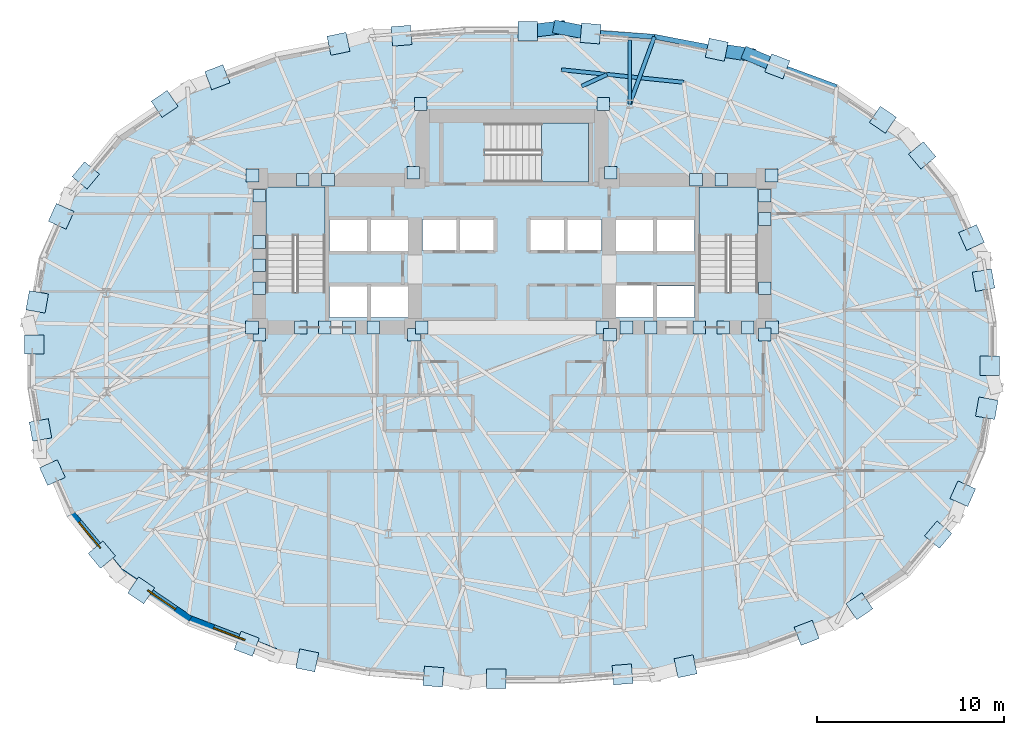
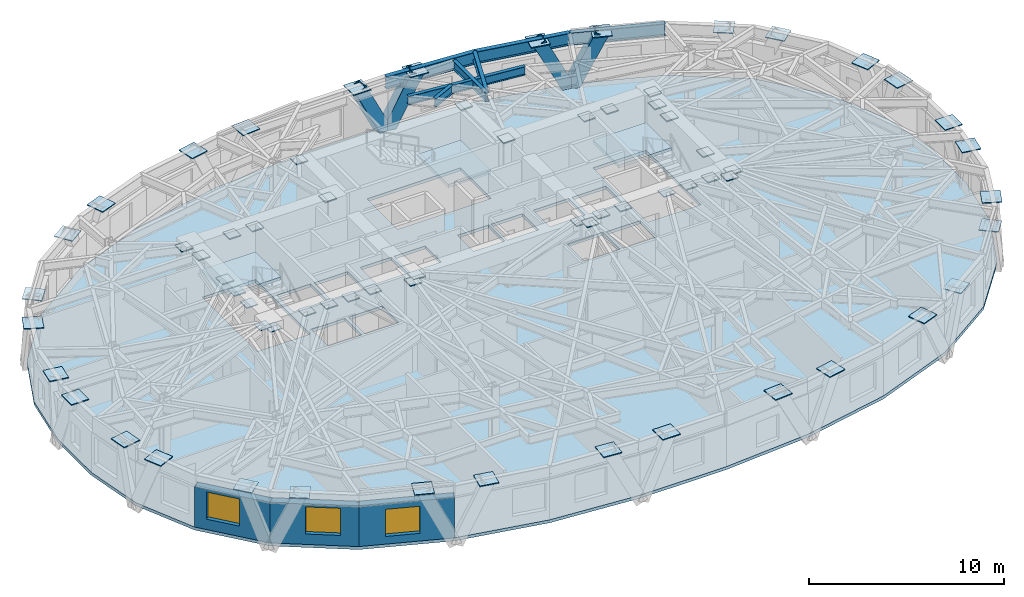
# One storey, part 5 of 14: 66 plates, 7 beams, 4 members, 4 slabs, 3 walls, 3 windows, 3 openings, 3 elements without a shape of their own.
"""IFC4 building model written with IfcOpenShell, lengths in metres."""

import ifcopenshell
import ifcopenshell.guid

model = None  # the IFC model being written
_history = None  # IfcOwnerHistory: only IFC2X3 demands one
_inside = {}  # id of a spatial element -> (the spatial element, [elements in it])
_under = {}  # id of a project, library or spatial element -> (it, [spatial elements below it])
_declared = {}  # id of a project -> (the project, [libraries it declares])
_typed = {}  # id of a type object -> (the type object, [elements of that type])
_made_of = {}  # id of a material, layer set ... -> (it, [elements and type objects made of it])


def new_model(schema):
    """Start an empty IFC model of exactly this schema.

    Asked for "IFC4X3", IfcOpenShell would pick the latest addendum, in which some entities
    have other attributes; the version numbers below select the first issue.
    IFC2X3 requires an IfcOwnerHistory on every rooted entity: one is made here for all.
    """
    global model, _history
    if schema == "IFC4X3":
        model = ifcopenshell.file(schema_version=(4, 3, 0, 0))
    else:
        model = ifcopenshell.file(schema=schema)
    _inside.clear()
    _under.clear()
    _declared.clear()
    _typed.clear()
    _made_of.clear()
    _history = None
    if model.schema == "IFC2X3":
        org = make("IfcOrganization", Name="unknown")
        user = make(
            "IfcPersonAndOrganization",
            ThePerson=make("IfcPerson", FamilyName="unknown"),
            TheOrganization=org,
        )
        app = make(
            "IfcApplication",
            ApplicationDeveloper=org,
            Version="unknown",
            ApplicationFullName="unknown",
            ApplicationIdentifier="unknown",
        )
        _history = make(
            "IfcOwnerHistory",
            OwningUser=user,
            OwningApplication=app,
            ChangeAction="ADDED",
            CreationDate=0,
        )
    return model


def make(cls, **values):
    """One entity of the class cls with the attributes given. An attribute that is None is left unset."""
    return model.create_entity(
        cls, **{name: value for name, value in values.items() if value is not None}
    )


def rooted(cls, **values):
    """An entity with a GlobalId (a new one), such as an element, a storey or a relation."""
    return make(cls, GlobalId=ifcopenshell.guid.new(), OwnerHistory=_history, **values)


def si_unit(unit_type, name, prefix=None):
    """IfcSIUnit, for example si_unit("LENGTHUNIT", "METRE", prefix="MILLI")."""
    return make("IfcSIUnit", UnitType=unit_type, Prefix=prefix, Name=name)


def assignment(units):
    """IfcUnitAssignment: the units of a project."""
    return None if units is None else make("IfcUnitAssignment", Units=units)


def point(xyz):
    """IfcCartesianPoint."""
    return None if xyz is None else make("IfcCartesianPoint", Coordinates=xyz)


def direction(xyz):
    """IfcDirection."""
    return None if xyz is None else make("IfcDirection", DirectionRatios=xyz)


def frame(location, z_axis=None, x_axis=None):
    """IfcAxis2Placement3D, a coordinate frame: its origin and axes. An axis left out is left unset."""
    return make(
        "IfcAxis2Placement3D",
        Location=point(location),
        Axis=direction(z_axis),
        RefDirection=direction(x_axis),
    )


def frame_2d(location, x_axis=None):
    """IfcAxis2Placement2D, a coordinate frame in the plane: its origin and x axis."""
    return make(
        "IfcAxis2Placement2D", Location=point(location), RefDirection=direction(x_axis)
    )


def origin():
    """The frame at (0, 0, 0) with its axes left unset."""
    return frame((0.0, 0.0, 0.0))


def origin_2d():
    """The frame at (0, 0) in the plane with its x axis left unset."""
    return frame_2d((0.0, 0.0))


def place(relative_to, where):
    """IfcLocalPlacement: puts the frame where relative to a parent placement (None: the world)."""
    return make(
        "IfcLocalPlacement", PlacementRelTo=relative_to, RelativePlacement=where
    )


def context(
    kind, dimensions, precision=None, world=None, true_north=None, identifier=None
):
    """IfcGeometricRepresentationContext, for example the 3D "Model" context."""
    return make(
        "IfcGeometricRepresentationContext",
        ContextIdentifier=identifier,
        ContextType=kind,
        CoordinateSpaceDimension=dimensions,
        Precision=precision,
        WorldCoordinateSystem=world,
        TrueNorth=true_north,
    )


def subcontext(parent, identifier, kind, view, scale=None):
    """IfcGeometricRepresentationSubContext, for example "Body" below "Model"."""
    return make(
        "IfcGeometricRepresentationSubContext",
        ContextIdentifier=identifier,
        ContextType=kind,
        ParentContext=parent,
        TargetScale=scale,
        TargetView=view,
    )


def project(units=None, contexts=None):
    """IfcProject with its units and contexts."""
    return rooted(
        "IfcProject",
        Name="project",
        RepresentationContexts=contexts,
        UnitsInContext=assignment(units),
    )


def spatial(cls, under=None, at=None, **own):
    """A site, building, storey or space (cls), placed at a placement, below another one or the project."""
    s = rooted(cls, ObjectPlacement=at, **own)
    if under is not None:
        _under.setdefault(under.id(), (under, []))[1].append(s)
    return s


def polyline(points):
    """IfcPolyline through the points."""
    return make("IfcPolyline", Points=[point(p) for p in points])


def profile(cls, at=None, kind="AREA", **sizes):
    """A parametric profile (cls). Its sizes go by their IFC names, for example OverallWidth=200.0."""
    return make(cls, ProfileType=kind, Position=at, **sizes)


def rectangle(**sizes):
    """IfcRectangleProfileDef."""
    return profile("IfcRectangleProfileDef", **sizes)


def hollow_rectangle(**sizes):
    """IfcRectangleHollowProfileDef."""
    return profile("IfcRectangleHollowProfileDef", **sizes)


def i_section(**sizes):
    """IfcIShapeProfileDef."""
    return profile("IfcIShapeProfileDef", **sizes)


def outline(outer, holes=None, kind="AREA"):
    """IfcArbitraryClosedProfileDef: a profile drawn as a closed curve; with holes, ...WithVoids."""
    if holes is None:
        return make("IfcArbitraryClosedProfileDef", ProfileType=kind, OuterCurve=outer)
    return make(
        "IfcArbitraryProfileDefWithVoids",
        ProfileType=kind,
        OuterCurve=outer,
        InnerCurves=holes,
    )


def extrude(swept, where, along, depth):
    """IfcExtrudedAreaSolid: the profile swept, set in the frame where, extruded along a direction by depth."""
    return make(
        "IfcExtrudedAreaSolid",
        SweptArea=swept,
        Position=where,
        ExtrudedDirection=direction(along),
        Depth=depth,
    )


def shape(context_of_items, identifier, shape_type, items):
    """IfcShapeRepresentation: the items that make up one representation, for example the "Body"."""
    return make(
        "IfcShapeRepresentation",
        ContextOfItems=context_of_items,
        RepresentationIdentifier=identifier,
        RepresentationType=shape_type,
        Items=items,
    )


def material(Name=None, Category=None):
    """IfcMaterial."""
    return make("IfcMaterial", Name=Name, Category=Category)


def layer(
    of_material, thickness, ventilated=None, Name=None, Category=None, Priority=None
):
    """IfcMaterialLayer: one layer of a wall or slab, of a material (None: an air gap)."""
    return make(
        "IfcMaterialLayer",
        Material=of_material,
        LayerThickness=thickness,
        IsVentilated=ventilated,
        Name=Name,
        Category=Category,
        Priority=Priority,
    )


def layer_set(layers, Name=None):
    """IfcMaterialLayerSet."""
    return make("IfcMaterialLayerSet", MaterialLayers=layers, LayerSetName=Name)


def material_profile(
    of_material, cross_section, Name=None, Category=None, Priority=None
):
    """IfcMaterialProfile: a cross section and its material."""
    return make(
        "IfcMaterialProfile",
        Name=Name,
        Material=of_material,
        Profile=cross_section,
        Priority=Priority,
        Category=Category,
    )


def profile_set(profiles, Name=None, composite=None):
    """IfcMaterialProfileSet."""
    return make(
        "IfcMaterialProfileSet",
        Name=Name,
        MaterialProfiles=profiles,
        CompositeProfile=composite,
    )


def made_of(thing, what):
    """Note that an element or type object is made of a material, layer set ...; save() writes the relation."""
    if what is not None:
        _made_of.setdefault(what.id(), (what, []))[1].append(thing)
    return thing


def type_object(cls, material=None, **own):
    """A type object (cls), such as IfcWallType, which elements share."""
    return made_of(rooted(cls, **own), material)


def element(
    cls,
    number,
    at=None,
    inside=None,
    cuts=None,
    type_object=None,
    material=None,
    context=None,
    identifier="Body",
    shape_type=None,
    held_by="IfcProductDefinitionShape",
    body=None,
    shapes=None,
    **own,
):
    """One element of the class cls, such as IfcWall. Its Tag is "e" and its number.

    at: its placement. inside: the storey or other place that contains it. cuts: it is an
    opening in that element (IfcRelVoidsElement). A single representation is given by context,
    identifier, shape_type and body (its items); several are given by shapes. held_by: the class
    of the entity that holds the representations. save() writes the other relations.
    """
    e = rooted(cls, Tag="e%d" % number, ObjectPlacement=at, **own)
    if body is not None:
        shapes = [shape(context, identifier, shape_type, body)]
    if shapes is not None:
        e.Representation = make(held_by, Representations=shapes)
    if inside is not None:
        _inside.setdefault(inside.id(), (inside, []))[1].append(e)
    if cuts is not None:
        rooted(
            "IfcRelVoidsElement", RelatingBuildingElement=cuts, RelatedOpeningElement=e
        )
    if type_object is not None:
        _typed.setdefault(type_object.id(), (type_object, []))[1].append(e)
    return made_of(e, material)


def fill(opening, filler):
    """IfcRelFillsElement: the door or window that sits in an opening."""
    return rooted(
        "IfcRelFillsElement",
        RelatingOpeningElement=opening,
        RelatedBuildingElement=filler,
    )


def aggregate(whole, parts):
    """IfcRelAggregates: a whole, such as a stair, and the parts it consists of."""
    return rooted("IfcRelAggregates", RelatingObject=whole, RelatedObjects=parts)


def save(model, path):
    """Write the relations noted so far, then the file.

    IfcRelAggregates (storeys below a building ...), IfcRelContainedInSpatialStructure (elements
    in a storey), IfcRelDefinesByType, IfcRelAssociatesMaterial and IfcRelDeclares: one each for
    every whole, place, type object, material and project.
    """
    for whole, parts in _under.values():
        aggregate(whole, parts)
    for where, things in _inside.values():
        rooted(
            "IfcRelContainedInSpatialStructure",
            RelatedElements=things,
            RelatingStructure=where,
        )
    for kind, things in _typed.values():
        rooted("IfcRelDefinesByType", RelatedObjects=things, RelatingType=kind)
    for what, things in _made_of.values():
        rooted("IfcRelAssociatesMaterial", RelatedObjects=things, RelatingMaterial=what)
    for by, libraries in _declared.values():
        rooted("IfcRelDeclares", RelatingContext=by, RelatedDefinitions=libraries)
    model.write(path)


model = new_model("IFC4")

# Units and contexts
model_context = context("Model", 3, precision=1e-05, world=origin(), true_north=direction((0.0, 1.0)))
body_context = subcontext(model_context, "Body", "Model", "MODEL_VIEW")
ifc_project = project(units=[si_unit("LENGTHUNIT", "METRE"), si_unit("AREAUNIT", "SQUARE_METRE"), si_unit("VOLUMEUNIT", "CUBIC_METRE"), si_unit("PLANEANGLEUNIT", "RADIAN"), si_unit("MASSUNIT", "GRAM", prefix="KILO")], contexts=[model_context])

# Site, building, storey
site_placement = place(None, origin())
site = spatial("IfcSite", under=ifc_project, at=site_placement, CompositionType="ELEMENT")
building_placement = place(site_placement, origin())
building = spatial("IfcBuilding", under=site, at=building_placement, Name="Keldmark Tower", CompositionType="ELEMENT")
storey_placement = place(building_placement, frame((0.0, 0.0, 124.60009765625)))
storey = spatial("IfcBuildingStorey", under=building, at=storey_placement, Name="L33", CompositionType="ELEMENT", Elevation=124.60009765625)

# Members
ifc_material_1 = material(Name="Steel ASTM A572 Grade 50", Category="steel")
ifc_material_profile_1 = material_profile(ifc_material_1, hollow_rectangle(XDim=0.699951171875, YDim=0.699951171875, WallThickness=0.044921875, at=origin_2d()), Name="BOX700X700X45")
ifc_profile_set_1 = profile_set([ifc_material_profile_1], Name="Steel ASTM A572 Grade 50")
member_type = type_object("IfcMemberType", Name="Diagrid Zone 2 Brace BOX700X700X45", PredefinedType="BRACE", material=ifc_profile_set_1)
member_1_placement = place(storey_placement, frame((12.672607421875, 16.076416015625, -0.27001953125), z_axis=(0.396146158481, -0.165315819675, 0.9031826509), x_axis=(0.385121341829, 0.922865944798, 0.0)))
element("IfcMember", 1, at=member_1_placement, inside=storey, type_object=member_type, Name="L33 Perimeter Diagrid Brace 03A", PredefinedType="BRACE", context=body_context, shape_type="SweptSolid", body=[
    extrude(hollow_rectangle(XDim=0.699951171875, YDim=0.699951171875, WallThickness=0.044921875, at=origin_2d()), origin(), (0.0, 0.0, 1.0), 3.830810546875),
])
member_2_placement = place(storey_placement, frame((12.682373046875, 16.06982421875, -0.27001953125), z_axis=(-0.445834738319, 0.067703396482, 0.89255119529), x_axis=(-0.150136346739, -0.988665300993, 0.0)))
element("IfcMember", 2, at=member_2_placement, inside=storey, type_object=member_type, Name="L33 Perimeter Diagrid Brace 03B", PredefinedType="BRACE", context=body_context, shape_type="SweptSolid", body=[
    extrude(hollow_rectangle(XDim=0.699951171875, YDim=0.699951171875, WallThickness=0.044921875, at=origin_2d()), origin(), (0.0, 0.0, 1.0), 3.87646484375),
])
member_3_placement = place(storey_placement, frame((2.535888671875, 17.519775390625, -0.27001953125), z_axis=(0.432868023203, -0.082659170366, 0.897659588064), x_axis=(0.187567809741, 0.982251656527, 0.0)))
element("IfcMember", 3, at=member_3_placement, inside=storey, type_object=member_type, Name="L33 Perimeter Diagrid Brace 04A", PredefinedType="BRACE", context=body_context, shape_type="SweptSolid", body=[
    extrude(hollow_rectangle(XDim=0.699951171875, YDim=0.699951171875, WallThickness=0.044921875, at=origin_2d()), origin(), (0.0, 0.0, 1.0), 3.8544921875),
])
member_4_placement = place(storey_placement, frame((2.547607421875, 17.517333984375, -0.27001953125), z_axis=(-0.44291108894, -0.052229783339, 0.895042913511), x_axis=(0.117112382561, -0.993118668564, 0.0)))
element("IfcMember", 4, at=member_4_placement, inside=storey, type_object=member_type, Name="L33 Perimeter Diagrid Brace 04B", PredefinedType="BRACE", context=body_context, shape_type="SweptSolid", body=[
    extrude(hollow_rectangle(XDim=0.699951171875, YDim=0.699951171875, WallThickness=0.044921875, at=origin_2d()), origin(), (0.0, 0.0, 1.0), 3.86572265625),
])

# Beams
ifc_material_2 = material(Name="Steel ASTM A992 Grade 50", Category="steel")
ifc_material_profile_2 = material_profile(ifc_material_2, i_section(OverallWidth=0.2099609375, OverallDepth=0.537109375, WebThickness=0.010986328125, FlangeThickness=0.017333984375, at=origin_2d()), Name="W21X68")
ifc_profile_set_2 = profile_set([ifc_material_profile_2], Name="Steel ASTM A992 Grade 50")
beam_type_1 = type_object("IfcBeamType", Name="Radial Tie Girder W21X68", PredefinedType="BEAM", material=ifc_profile_set_2)
beam_1_placement = place(storey_placement, frame((9.188720703125, 14.5888671875, 3.04150390625), z_axis=(-0.994755240568, 0.102283974126, 0.0), x_axis=(-0.102283974126, -0.994755240568, 0.0)))
element("IfcBeam", 5, at=beam_1_placement, inside=storey, type_object=beam_type_1, Name="L33 Perimeter Collector Ring Beam CRG1-M02", PredefinedType="BEAM", context=body_context, shape_type="SweptSolid", body=[
    extrude(i_section(OverallWidth=0.2099609375, OverallDepth=0.537109375, WebThickness=0.010986328125, FlangeThickness=0.017333984375, at=origin_2d()), origin(), (0.0, 0.0, 1.0), 6.58056640625),
])
beam_2_placement = place(storey_placement, frame((6.298828125, 13.4326171875, 3.04150390625), z_axis=(0.344487070848, 0.938791061962, 0.0), x_axis=(-0.938791061962, 0.344487070848, 0.0)))
element("IfcBeam", 6, at=beam_2_placement, inside=storey, type_object=beam_type_1, Name="L33 Perimeter Column Bracket RT-07", PredefinedType="BEAM", context=body_context, shape_type="SweptSolid", body=[
    extrude(i_section(OverallWidth=0.2099609375, OverallDepth=0.537109375, WebThickness=0.010986328125, FlangeThickness=0.017333984375, at=origin_2d()), origin(), (0.0, 0.0, 1.0), 3.826904296875),
])
beam_3_placement = place(storey_placement, frame((3.721923828125, 14.37890625, 3.04150390625), z_axis=(0.907378596441, 0.420314266617, 0.0), x_axis=(-0.420314266617, 0.907378596441, 0.0)))
element("IfcBeam", 7, at=beam_3_placement, inside=storey, type_object=beam_type_1, Name="L33 Framing Pin Header PH-018", PredefinedType="BEAM", context=body_context, shape_type="SweptSolid", body=[
    extrude(i_section(OverallWidth=0.2099609375, OverallDepth=0.537109375, WebThickness=0.010986328125, FlangeThickness=0.017333984375, at=origin_2d()), origin(), (0.0, 0.0, 1.0), 1.503173828125),
])
beam_4_placement = place(storey_placement, frame((6.298828125, 13.4326171875, 3.04150390625), z_axis=(0.0, 1.0, 0.0), x_axis=(-1.0, 0.0, 0.0)))
element("IfcBeam", 8, at=beam_4_placement, inside=storey, type_object=beam_type_1, Name="L33 North Column Cantilever Girder East FG-TCN-E", PredefinedType="BEAM", context=body_context, shape_type="SweptSolid", body=[
    extrude(i_section(OverallWidth=0.2099609375, OverallDepth=0.537109375, WebThickness=0.010986328125, FlangeThickness=0.017333984375, at=origin_2d()), origin(), (0.0, 0.0, 1.0), 3.42236328125),
])
ifc_material_3 = material(Name="Steel ASTM A992 Grade 50", Category="steel")
ifc_material_profile_3 = material_profile(ifc_material_3, i_section(OverallWidth=0.26806640625, OverallDepth=0.77001953125, WebThickness=0.015625, FlangeThickness=0.025390625, at=origin_2d()), Name="W30X132")
ifc_profile_set_3 = profile_set([ifc_material_profile_3], Name="Steel ASTM A992 Grade 50")
beam_type_2 = type_object("IfcBeamType", Name="Spandrel Ring Beam W30X132", PredefinedType="SPANDREL", material=ifc_profile_set_3)
beam_5_placement = place(storey_placement, frame((17.355224609375, 14.338134765625, 2.9248046875), z_axis=(-0.938408147313, 0.345528796278, 0.0), x_axis=(-0.345528796278, -0.938408147313, 0.0)))
element("IfcBeam", 9, at=beam_5_placement, inside=storey, type_object=beam_type_2, Name="L33 Perimeter Spandrel Ring Beam SRB-05", PredefinedType="SPANDREL", context=body_context, shape_type="SweptSolid", body=[
    extrude(i_section(OverallWidth=0.26806640625, OverallDepth=0.77001953125, WebThickness=0.015625, FlangeThickness=0.025390625, at=origin_2d()), origin(), (0.0, 0.0, 1.0), 4.998291015625),
])
beam_6_placement = place(storey_placement, frame((12.664794921875, 16.065185546875, 2.9248046875), z_axis=(-0.982383038938, 0.186878476041, 0.0), x_axis=(-0.186878476041, -0.982383038938, 0.0)))
element("IfcBeam", 10, at=beam_6_placement, inside=storey, type_object=beam_type_2, Name="L33 Perimeter Spandrel Ring Beam SRB-06", PredefinedType="SPANDREL", context=body_context, shape_type="SweptSolid", body=[
    extrude(i_section(OverallWidth=0.26806640625, OverallDepth=0.77001953125, WebThickness=0.015625, FlangeThickness=0.025390625, at=origin_2d()), origin(), (0.0, 0.0, 1.0), 5.13818359375),
])
beam_7_placement = place(storey_placement, frame((7.6171875, 17.025390625, 2.9248046875), z_axis=(-0.997652461218, 0.068480410529, 0.0), x_axis=(-0.068480410529, -0.997652461218, 0.0)))
element("IfcBeam", 11, at=beam_7_placement, inside=storey, type_object=beam_type_2, Name="L33 Perimeter Spandrel Ring Beam SRB-07", PredefinedType="SPANDREL", context=body_context, shape_type="SweptSolid", body=[
    extrude(i_section(OverallWidth=0.26806640625, OverallDepth=0.77001953125, WebThickness=0.015625, FlangeThickness=0.025390625, at=origin_2d()), origin(), (0.0, 0.0, 1.0), 5.105224609375),
])

# Plates
ifc_material_4 = material(Name="Steel ASTM A572 Grade 50", Category="steel")
ifc_layer_1 = layer(ifc_material_4, 0.06005859375)
ifc_layer_set_1 = layer_set([ifc_layer_1], Name="Steel ASTM A572 Grade 50")
plate_type_1 = type_object("IfcPlateType", Name="Belt Truss Kink Node Assembly KN01 60 mm", PredefinedType="USERDEFINED", material=ifc_layer_set_1)
for number, where, z_axis, x_axis, name in (
    (12, (13.91162109375, 1.473388671875, 3.01416015625), (0.0, 0.0, 1.0), (1.0, 0.0, 0.0), "L33 Core Wall Cast-In Embed Plate 962"),
    (13, (13.878173828125, 9.608154296875, 3.01416015625), (0.0, 0.0, 1.0), (1.0, 0.0, 0.0), "L33 Core Wall Cast-In Embed Plate 963"),
    (14, (5.28515625, 9.758544921875, 3.01416015625), (0.0, 0.0, 1.0), (1.0, 0.0, 0.0), "L33 Core Wall Cast-In Embed Plate 964"),
    (15, (-5.28515625, 9.758544921875, 3.01416015625), (0.0, 0.0, 1.0), (1.0, 0.0, 0.0), "L33 Core Wall Cast-In Embed Plate 965"),
    (16, (-13.878173828125, 9.608154296875, 3.01416015625), (0.0, 0.0, 1.0), (1.0, 0.0, 0.0), "L33 Core Wall Cast-In Embed Plate 966"),
    (17, (-13.91162109375, 1.473388671875, 3.01416015625), (0.0, 0.0, 1.0), (1.0, 0.0, 0.0), "L33 Core Wall Cast-In Embed Plate 967"),
    (18, (-5.24072265625, 1.08251953125, 3.01416015625), (0.0, 0.0, 1.0), (1.0, 0.0, 0.0), "L33 Core Wall Cast-In Embed Plate 968"),
    (19, (5.24072265625, 1.08251953125, 3.01416015625), (0.0, 0.0, 1.0), (1.0, 0.0, 0.0), "L33 Core Wall Cast-In Embed Plate 969"),
    (20, (9.83935546875, 9.375, 3.01416015625), (0.0, 0.0, 1.0), (1.0, 0.0, 0.0), "L33 Core Wall Cast-In Embed Plate 970"),
    (21, (4.87890625, 13.4326171875, 3.01416015625), (0.0, 0.0, 1.0), (1.0, 0.0, 0.0), "L33 Core Wall Cast-In Embed Plate 971"),
    (22, (-4.87890625, 13.4326171875, 3.01416015625), (0.0, 0.0, 1.0), (1.0, 0.0, 0.0), "L33 Core Wall Cast-In Embed Plate 972"),
    (23, (-9.83935546875, 9.375, 3.01416015625), (0.0, 0.0, 1.0), (1.0, 0.0, 0.0), "L33 Core Wall Cast-In Embed Plate 973"),
    (24, (-11.30712890625, 1.47509765625, 3.01416015625), (0.0, 0.0, 1.0), (1.0, 0.0, 0.0), "L33 Core Wall Cast-In Embed Plate 974"),
    (25, (12.603515625, 1.47509765625, 3.01416015625), (0.0, 0.0, 1.0), (1.0, 0.0, 0.0), "L33 Core Wall Cast-In Embed Plate 975"),
    (26, (13.52490234375, 8.514404296875, 3.01416015625), (0.0, 0.0, 1.0), (1.0, 0.0, 0.0), "L33 Core Wall Cast-In Embed Plate 976"),
    (27, (13.52490234375, 7.278564453125, 3.01416015625), (0.0, 0.0, 1.0), (1.0, 0.0, 0.0), "L33 Core Wall Cast-In Embed Plate 977"),
    (28, (11.19287109375, 9.375, 3.01416015625), (0.0, 0.0, 1.0), (1.0, 0.0, 0.0), "L33 Core Wall Cast-In Embed Plate 978"),
    (29, (-11.19287109375, 9.375, 3.01416015625), (0.0, 0.0, 1.0), (1.0, 0.0, 0.0), "L33 Core Wall Cast-In Embed Plate 979"),
    (30, (-13.52490234375, 8.514404296875, 3.01416015625), (0.0, 0.0, 1.0), (1.0, 0.0, 0.0), "L33 Core Wall Cast-In Embed Plate 980"),
    (31, (-13.52490234375, 3.5712890625, 3.01416015625), (0.0, 0.0, 1.0), (1.0, 0.0, 0.0), "L33 Core Wall Cast-In Embed Plate 981"),
    (32, (-13.52490234375, 4.80712890625, 3.01416015625), (0.0, 0.0, 1.0), (1.0, 0.0, 0.0), "L33 Core Wall Cast-In Embed Plate 982"),
    (33, (-13.52490234375, 6.04296875, 3.01416015625), (0.0, 0.0, 1.0), (1.0, 0.0, 0.0), "L33 Core Wall Cast-In Embed Plate 983"),
    (34, (4.824951171875, 1.47509765625, 3.01416015625), (0.0, 0.0, 1.0), (1.0, 0.0, 0.0), "L33 Core Wall Cast-In Embed Plate 984"),
    (35, (-10.0107421875, 1.47509765625, 3.01416015625), (0.0, 0.0, 1.0), (1.0, 0.0, 0.0), "L33 Core Wall Cast-In Embed Plate 985"),
    (36, (-13.52490234375, 1.10009765625, 3.01416015625), (0.0, 0.0, 1.0), (1.0, 0.0, 0.0), "L33 Core Wall Cast-In Embed Plate 986"),
    (37, (-7.41796875, 1.47509765625, 3.01416015625), (0.0, 0.0, 1.0), (1.0, 0.0, 0.0), "L33 Core Wall Cast-In Embed Plate 987"),
    (38, (-8.71435546875, 1.47509765625, 3.01416015625), (0.0, 0.0, 1.0), (1.0, 0.0, 0.0), "L33 Core Wall Cast-In Embed Plate 988"),
    (39, (7.41796875, 1.47509765625, 3.01416015625), (0.0, 0.0, 1.0), (1.0, 0.0, 0.0), "L33 Core Wall Cast-In Embed Plate 989"),
    (40, (11.30712890625, 1.47509765625, 3.01416015625), (0.0, 0.0, 1.0), (1.0, 0.0, 0.0), "L33 Core Wall Cast-In Embed Plate 990"),
    (41, (10.0107421875, 1.47509765625, 3.01416015625), (0.0, 0.0, 1.0), (1.0, 0.0, 0.0), "L33 Core Wall Cast-In Embed Plate 991"),
    (42, (13.52490234375, 1.10009765625, 3.01416015625), (0.0, 0.0, 1.0), (1.0, 0.0, 0.0), "L33 Core Wall Cast-In Embed Plate 992"),
    (43, (-4.824951171875, 1.47509765625, 3.01416015625), (0.0, 0.0, 1.0), (1.0, 0.0, 0.0), "L33 Core Wall Cast-In Embed Plate 993"),
    (44, (13.52490234375, 3.5712890625, 3.01416015625), (0.0, 0.0, 1.0), (1.0, 0.0, 0.0), "L33 Core Wall Cast-In Embed Plate 994"),
    (45, (6.121337890625, 1.47509765625, 3.01416015625), (0.0, 0.0, 1.0), (1.0, 0.0, 0.0), "L33 Core Wall Cast-In Embed Plate 995"),
):
    element("IfcPlate", number, at=place(storey_placement, frame(where, z_axis=z_axis, x_axis=x_axis)), inside=storey, type_object=plate_type_1, Name=name, ObjectType="CAP PLATE", PredefinedType="USERDEFINED", context=body_context, shape_type="SweptSolid", body=[
        extrude(rectangle(XDim=0.679931640625, YDim=0.679931640625, at=origin_2d()), origin(), (0.0, 0.0, 1.0), 0.054931640625),
    ])
ifc_material_5 = material(Name="Steel ASTM A572 Grade 50", Category="steel")
ifc_layer_2 = layer(ifc_material_5, 0.054931640625)
ifc_layer_set_2 = layer_set([ifc_layer_2], Name="Steel ASTM A572 Grade 50")
plate_type_2 = type_object("IfcPlateType", Name="Diagrid Node Assembly DN03 55 mm", PredefinedType="USERDEFINED", material=ifc_layer_set_2)
for number, where, z_axis, x_axis, name in (
    (46, (25.22314453125, 4.007568359375, 3.16259765625), (0.0, 0.0, 1.0), (-0.173648177667, 0.984807753012, 0.0), "L33 Diagrid Node Assembly 01"),
    (47, (24.581298828125, 6.2880859375, 3.16259765625), (0.0, 0.0, 1.0), (-0.409763832607, 0.912191647346, 0.0), "L33 Diagrid Node Assembly 02"),
    (48, (21.943359375, 10.6787109375, 3.16259765625), (0.0, 0.0, 1.0), (-0.640109699485, 0.768283523594, 0.0), "L33 Diagrid Node Assembly 03"),
    (49, (19.8369140625, 12.5859375, 3.16259765625), (0.0, 0.0, 1.0), (-0.827668733006, 0.561216953062, 0.0), "L33 Diagrid Node Assembly 04"),
    (50, (14.190185546875, 15.443115234375, 3.16259765625), (0.0, 0.0, 1.0), (-0.933830386995, 0.357716100175, 0.0), "L33 Diagrid Node Assembly 05"),
    (51, (10.9541015625, 16.332275390625, 3.16259765625), (0.0, 0.0, 1.0), (-0.979328855567, 0.202274547718, 0.0), "L33 Diagrid Node Assembly 06"),
    (52, (4.204345703125, 17.201171875, 3.16259765625), (0.0, 0.0, 1.0), (-0.996736749763, 0.080720825512, 0.0), "L33 Diagrid Node Assembly 07"),
    (53, (0.83544921875, 17.3154296875, 3.16259765625), (0.0, 0.0, 1.0), (-1.0, 0.0, 0.0), "L33 Diagrid Node Assembly 08"),
    (54, (-5.91357421875, 17.082275390625, 3.16259765625), (0.0, 0.0, 1.0), (-0.996736749763, -0.080720825512, 0.0), "L33 Diagrid Node Assembly 09"),
    (55, (-9.282470703125, 16.64794921875, 3.16259765625), (0.0, 0.0, 1.0), (-0.979328855567, -0.202274547718, 0.0), "L33 Diagrid Node Assembly 10"),
    (56, (-15.763427734375, 14.86083984375, 3.16259765625), (0.0, 0.0, 1.0), (-0.933830386995, -0.357716100175, 0.0), "L33 Diagrid Node Assembly 11"),
    (57, (-18.5810546875, 13.434814453125, 3.16259765625), (0.0, 0.0, 1.0), (-0.827668733006, -0.561216953062, 0.0), "L33 Diagrid Node Assembly 12"),
    (58, (-22.799072265625, 9.60888671875, 3.16259765625), (0.0, 0.0, 1.0), (-0.640109699485, -0.768283523594, 0.0), "L33 Diagrid Node Assembly 13"),
    (59, (-24.11376953125, 7.41796875, 3.16259765625), (0.0, 0.0, 1.0), (-0.409763832607, -0.912191647346, 0.0), "L33 Diagrid Node Assembly 14"),
    (60, (-25.397216796875, 2.844970703125, 3.16259765625), (0.0, 0.0, 1.0), (-0.173648177667, -0.984807753012, 0.0), "L33 Diagrid Node Assembly 15"),
    (61, (-25.56689453125, 0.564453125, 3.16259765625), (0.0, 0.0, 1.0), (0.0, -1.0, 0.0), "L33 Diagrid Node Assembly 16"),
    (62, (-25.22314453125, -4.007568359375, 3.16259765625), (0.0, 0.0, 1.0), (0.173648177667, -0.984807753012, 0.0), "L33 Diagrid Node Assembly 17"),
    (63, (-24.581298828125, -6.2880859375, 3.16259765625), (0.0, 0.0, 1.0), (0.409763832607, -0.912191647346, 0.0), "L33 Diagrid Node Assembly 18"),
    (64, (-21.943359375, -10.6787109375, 3.16259765625), (0.0, 0.0, 1.0), (0.640109699485, -0.768283523594, 0.0), "L33 Diagrid Node Assembly 19"),
    (65, (-19.8369140625, -12.5859375, 3.16259765625), (0.0, 0.0, 1.0), (0.827668733006, -0.561216953062, 0.0), "L33 Diagrid Node Assembly 20"),
    (66, (-14.190185546875, -15.443115234375, 3.16259765625), (0.0, 0.0, 1.0), (0.933830386995, -0.357716100175, 0.0), "L33 Diagrid Node Assembly 21"),
    (67, (-10.9541015625, -16.332275390625, 3.16259765625), (0.0, 0.0, 1.0), (0.979328855567, -0.202274547718, 0.0), "L33 Diagrid Node Assembly 22"),
    (68, (-4.204345703125, -17.201171875, 3.16259765625), (0.0, 0.0, 1.0), (0.996736749763, -0.080720825512, 0.0), "L33 Diagrid Node Assembly 23"),
    (69, (-0.83544921875, -17.3154296875, 3.16259765625), (0.0, 0.0, 1.0), (1.0, 0.0, 0.0), "L33 Diagrid Node Assembly 24"),
    (70, (5.91357421875, -17.082275390625, 3.16259765625), (0.0, 0.0, 1.0), (0.996736749763, 0.080720825512, 0.0), "L33 Diagrid Node Assembly 25"),
    (71, (9.282470703125, -16.64794921875, 3.16259765625), (0.0, 0.0, 1.0), (0.979328855567, 0.202274547718, 0.0), "L33 Diagrid Node Assembly 26"),
    (72, (15.763427734375, -14.86083984375, 3.16259765625), (0.0, 0.0, 1.0), (0.933830386995, 0.357716100175, 0.0), "L33 Diagrid Node Assembly 27"),
    (73, (18.5810546875, -13.434814453125, 3.16259765625), (0.0, 0.0, 1.0), (0.827668733006, 0.561216953062, 0.0), "L33 Diagrid Node Assembly 28"),
    (74, (22.799072265625, -9.60888671875, 3.16259765625), (0.0, 0.0, 1.0), (0.640109699485, 0.768283523594, 0.0), "L33 Diagrid Node Assembly 29"),
    (75, (24.11376953125, -7.41796875, 3.16259765625), (0.0, 0.0, 1.0), (0.409763832607, 0.912191647346, 0.0), "L33 Diagrid Node Assembly 30"),
    (76, (25.397216796875, -2.844970703125, 3.16259765625), (0.0, 0.0, 1.0), (0.173648177667, 0.984807753012, 0.0), "L33 Diagrid Node Assembly 31"),
    (77, (25.56689453125, -0.564453125, 3.16259765625), (0.0, 0.0, 1.0), (0.0, 1.0, 0.0), "L33 Diagrid Node Assembly 32"),
):
    element("IfcPlate", number, at=place(storey_placement, frame(where, z_axis=z_axis, x_axis=x_axis)), inside=storey, type_object=plate_type_2, Name=name, ObjectType="GUSSET", PredefinedType="USERDEFINED", context=body_context, shape_type="SweptSolid", body=[
        extrude(rectangle(XDim=1.0400390625, YDim=1.0400390625, at=origin_2d()), origin(), (0.0, 0.0, 1.0), 0.054931640625),
    ])

# Slab
ifc_material_6 = material(Name="Concrete C35/45", Category="concrete")
ifc_layer_3 = layer(ifc_material_6, 0.18994140625)
ifc_layer_set_3 = layer_set([ifc_layer_3], Name="Concrete C35/45")
slab_type_1 = type_object("IfcSlabType", Name="Mid-Rise Office Composite Slab 190 mm", PredefinedType="FLOOR", material=ifc_layer_set_3)
slab_1_placement = place(storey_placement, frame((0.0, 0.0, -0.190185546875)))
element("IfcSlab", 78, at=slab_1_placement, inside=storey, type_object=slab_type_1, Name="L33 Composite Structural Floor Slab", PredefinedType="FLOOR", context=body_context, shape_type="SweptSolid", body=[
    extrude(outline(polyline([(25.925048828125, 1.731201171875), (25.312744140625, 5.2060546875), (23.77978515625, 8.61767578125), (21.1533203125, 11.77001953125), (17.360107421875, 14.341796875), (12.710693359375, 16.122802734375), (7.678466796875, 17.161865234375), (2.553466796875, 17.5771484375), (-2.553466796875, 17.5771484375), (-7.678466796875, 17.161865234375), (-12.710693359375, 16.122802734375), (-17.360107421875, 14.341796875), (-21.1533203125, 11.77001953125), (-23.77978515625, 8.61767578125), (-25.312744140625, 5.2060546875), (-25.925048828125, 1.731201171875), (-25.925048828125, -1.731201171875), (-25.312744140625, -5.2060546875), (-23.77978515625, -8.61767578125), (-21.1533203125, -11.77001953125), (-17.360107421875, -14.341796875), (-12.710693359375, -16.122802734375), (-7.678466796875, -17.161865234375), (-2.553466796875, -17.5771484375), (2.553466796875, -17.5771484375), (7.678466796875, -17.161865234375), (12.710693359375, -16.122802734375), (17.360107421875, -14.341796875), (21.1533203125, -11.77001953125), (23.77978515625, -8.61767578125), (25.312744140625, -5.2060546875), (25.925048828125, -1.731201171875), (25.925048828125, 1.731201171875)]), holes=[polyline([(-10.0, 3.385009765625), (-10.0, 9.0), (-13.14990234375, 9.0), (-13.14990234375, 3.385009765625), (-10.0, 3.385009765625)]), polyline([(13.14990234375, 3.385009765625), (13.14990234375, 9.0), (10.0, 9.0), (10.0, 3.385009765625), (13.14990234375, 3.385009765625)]), polyline([(-1.43994140625, 9.25), (4.10498046875, 9.25), (4.10498046875, 12.39990234375), (-1.43994140625, 12.39990234375), (-1.43994140625, 9.25)]), polyline([(-9.75, 2.0), (-7.75, 2.0), (-7.75, 3.699951171875), (-9.75, 3.699951171875), (-9.75, 2.0)]), polyline([(7.75, 2.0), (9.75, 2.0), (9.75, 3.699951171875), (7.75, 3.699951171875), (7.75, 2.0)]), polyline([(5.449951171875, 2.0), (7.550048828125, 2.0), (7.550048828125, 3.75), (5.449951171875, 3.75), (5.449951171875, 2.0)]), polyline([(-4.800048828125, 5.60009765625), (-2.949951171875, 5.60009765625), (-2.949951171875, 7.25), (-4.800048828125, 7.25), (-4.800048828125, 5.60009765625)]), polyline([(-2.800048828125, 5.60009765625), (-0.949951171875, 5.60009765625), (-0.949951171875, 7.25), (-2.800048828125, 7.25), (-2.800048828125, 5.60009765625)]), polyline([(0.949951171875, 5.60009765625), (2.800048828125, 5.60009765625), (2.800048828125, 7.25), (0.949951171875, 7.25), (0.949951171875, 5.60009765625)]), polyline([(2.949951171875, 5.60009765625), (4.800048828125, 5.60009765625), (4.800048828125, 7.25), (2.949951171875, 7.25), (2.949951171875, 5.60009765625)]), polyline([(-9.75, 5.550048828125), (-7.75, 5.550048828125), (-7.75, 7.25), (-9.75, 7.25), (-9.75, 5.550048828125)]), polyline([(-7.550048828125, 5.550048828125), (-5.550048828125, 5.550048828125), (-5.550048828125, 7.25), (-7.550048828125, 7.25), (-7.550048828125, 5.550048828125)]), polyline([(-7.550048828125, 2.0), (-5.550048828125, 2.0), (-5.550048828125, 3.699951171875), (-7.550048828125, 3.699951171875), (-7.550048828125, 2.0)]), polyline([(5.449951171875, 5.550048828125), (7.550048828125, 5.550048828125), (7.550048828125, 7.25), (5.449951171875, 7.25), (5.449951171875, 5.550048828125)]), polyline([(7.75, 5.550048828125), (9.75, 5.550048828125), (9.75, 7.25), (7.75, 7.25), (7.75, 5.550048828125)])]), origin(), (0.0, 0.0, 1.0), 0.190185546875),
])

# Stair, slab
ifc_material_7 = material(Name="Concrete C40/50", Category="concrete")
stair_type = type_object("IfcStairType", Name="Precast Concrete Core Exit Stair", PredefinedType="HALF_TURN_STAIR", material=ifc_material_7)
stair_1_placement = place(storey_placement, origin())
stair_1 = element("IfcStair", 79, at=stair_1_placement, inside=storey, type_object=stair_type, Name="L33 Exit Stair ST1", PredefinedType="HALF_TURN_STAIR")
ifc_material_8 = material(Name="Concrete C40/50", Category="concrete")
ifc_layer_4 = layer(ifc_material_8, 0.199951171875)
ifc_layer_set_4 = layer_set([ifc_layer_4], Name="Concrete C40/50")
slab_type_2 = type_object("IfcSlabType", Name="Reinforced Concrete Stair Landing 200 mm", PredefinedType="LANDING", material=ifc_layer_set_4)
slab_2_placement = place(storey_placement, frame((0.0, 0.0, 1.5498046875)))
slab_2 = element("IfcSlab", 80, at=slab_2_placement, type_object=slab_type_2, Name="ST1 landing 1", PredefinedType="LANDING", context=body_context, shape_type="SweptSolid", body=[
    extrude(outline(polyline([(-10.0, 6.389892578125), (-10.0, 9.0), (-13.14990234375, 9.0), (-13.14990234375, 6.389892578125), (-10.0, 6.389892578125)])), origin(), (0.0, 0.0, 1.0), 0.2001953125),
])
aggregate(stair_1, [slab_2])

stair_2_placement = place(storey_placement, origin())
stair_2 = element("IfcStair", 81, at=stair_2_placement, inside=storey, type_object=stair_type, Name="L33 Exit Stair ST2", PredefinedType="HALF_TURN_STAIR")
slab_3_placement = place(storey_placement, frame((0.0, 0.0, 1.5498046875)))
slab_3 = element("IfcSlab", 82, at=slab_3_placement, type_object=slab_type_2, Name="ST2 landing 1", PredefinedType="LANDING", context=body_context, shape_type="SweptSolid", body=[
    extrude(outline(polyline([(13.14990234375, 6.389892578125), (13.14990234375, 9.0), (10.0, 9.0), (10.0, 6.389892578125), (13.14990234375, 6.389892578125)])), origin(), (0.0, 0.0, 1.0), 0.2001953125),
])
aggregate(stair_2, [slab_3])

stair_3_placement = place(storey_placement, origin())
stair_3 = element("IfcStair", 83, at=stair_3_placement, inside=storey, type_object=stair_type, Name="L33 Exit Stair ST3", PredefinedType="HALF_TURN_STAIR")
slab_4_placement = place(storey_placement, frame((0.0, 0.0, 1.5498046875)))
slab_4 = element("IfcSlab", 84, at=slab_4_placement, type_object=slab_type_2, Name="ST3 landing 1", PredefinedType="LANDING", context=body_context, shape_type="SweptSolid", body=[
    extrude(outline(polyline([(1.56494140625, 9.25), (4.10498046875, 9.25), (4.10498046875, 12.39990234375), (1.56494140625, 12.39990234375), (1.56494140625, 9.25)])), origin(), (0.0, 0.0, 1.0), 0.2001953125),
])
aggregate(stair_3, [slab_4])

# Wall, opening, window
ifc_material_9 = material(Name="Ironspot Manganese Brick and Kasota Buff Limestone Spandrel Assembly", Category="masonry")
ifc_layer_5 = layer(ifc_material_9, 0.43994140625)
ifc_layer_set_5 = layer_set([ifc_layer_5], Name="Ironspot Manganese Brick and Kasota Buff Limestone Spandrel Assembly")
wall_type = type_object("IfcWallType", Name="Tower Brick Pier and Spandrel Wall 440 mm", PredefinedType="STANDARD", material=ifc_layer_set_5)
wall_1_placement = place(storey_placement, frame((-20.984375, -11.62939453125, 0.0), z_axis=(0.0, 0.0, 1.0), x_axis=(-0.640084904994, 0.768304180906, 0.0)))
wall_1 = element("IfcWall", 85, at=wall_1_placement, inside=storey, type_object=wall_type, Name="L33 Exterior Brick and Spandrel Wall 19", PredefinedType="STANDARD", context=body_context, shape_type="SweptSolid", body=[
    extrude(rectangle(XDim=4.103271484375, YDim=0.43994140625, at=frame_2d((2.0517578125, 0.0))), origin(), (0.0, 0.0, 1.0), 2.52783203125),
])
opening_1_placement = place(wall_1_placement, frame((1.6640625, 0.0, 0.64990234375)))
opening_1 = element("IfcOpeningElement", 86, at=opening_1_placement, cuts=wall_1, Name="Opening W-02", PredefinedType="OPENING", context=body_context, shape_type="SweptSolid", body=[
    extrude(rectangle(XDim=1.800048828125, YDim=1.699951171875, at=frame_2d((0.89990234375, 0.85009765625))), frame((0.0, 0.22998046875, 0.0), z_axis=(0.0, -1.0, 0.0), x_axis=(1.0, 0.0, 0.0)), (0.0, 0.0, 1.0), 0.4599609375),
])
ifc_material_10 = material(Name="Thermally Broken Anodized Aluminum and Triple Low-E Argon Glazing", Category="aluminium")
window_type = type_object("IfcWindowType", Name="Office Deep-Set Triple Window 1800x1700", PartitioningType="TRIPLE_PANEL_VERTICAL", PredefinedType="WINDOW", material=ifc_material_10)
window_1_placement = place(opening_1_placement, origin())
window_1 = element("IfcWindow", 87, at=window_1_placement, inside=storey, type_object=window_type, Name="L33 Deep-Set Window 19", OverallHeight=1.699951171875, OverallWidth=1.800048828125, PartitioningType="SINGLE_PANEL", PredefinedType="WINDOW", context=body_context, shape_type="SweptSolid", body=[
    extrude(rectangle(XDim=1.800048828125, YDim=1.699951171875, at=frame_2d((0.89990234375, 0.85009765625))), frame((0.0, -0.010009765625, 0.0), z_axis=(0.0, -1.0, 0.0), x_axis=(1.0, 0.0, 0.0)), (0.0, 0.0, 1.0), 0.06005859375),
])
fill(opening_1, window_1)

wall_2_placement = place(storey_placement, frame((-17.236572265625, -14.159912109375, 0.0), z_axis=(0.0, 0.0, 1.0), x_axis=(-0.827672849676, 0.561210881852, 0.0)))
wall_2 = element("IfcWall", 88, at=wall_2_placement, inside=storey, type_object=wall_type, Name="L33 Exterior Brick and Spandrel Wall 20", PredefinedType="STANDARD", context=body_context, shape_type="SweptSolid", body=[
    extrude(rectangle(XDim=4.5830078125, YDim=0.43994140625, at=frame_2d((2.29150390625, 0.0))), origin(), (0.0, 0.0, 1.0), 2.52783203125),
])
opening_2_placement = place(wall_2_placement, frame((0.944580078125, 0.0, 0.64990234375)))
opening_2 = element("IfcOpeningElement", 89, at=opening_2_placement, cuts=wall_2, Name="Opening W-02", PredefinedType="OPENING", context=body_context, shape_type="SweptSolid", body=[
    extrude(rectangle(XDim=1.800048828125, YDim=1.699951171875, at=frame_2d((0.89990234375, 0.85009765625))), frame((0.0, 0.22998046875, 0.0), z_axis=(0.0, -1.0, 0.0), x_axis=(1.0, 0.0, 0.0)), (0.0, 0.0, 1.0), 0.4599609375),
])
window_2_placement = place(opening_2_placement, origin())
window_2 = element("IfcWindow", 90, at=window_2_placement, inside=storey, type_object=window_type, Name="L33 Deep-Set Window 20", OverallHeight=1.699951171875, OverallWidth=1.800048828125, PartitioningType="SINGLE_PANEL", PredefinedType="WINDOW", context=body_context, shape_type="SweptSolid", body=[
    extrude(rectangle(XDim=1.800048828125, YDim=1.699951171875, at=frame_2d((0.89990234375, 0.85009765625))), frame((0.0, -0.010009765625, 0.0), z_axis=(0.0, -1.0, 0.0), x_axis=(1.0, 0.0, 0.0)), (0.0, 0.0, 1.0), 0.06005859375),
])
fill(opening_2, window_2)

wall_3_placement = place(storey_placement, frame((-12.6318359375, -15.917236328125, 0.0), z_axis=(0.0, 0.0, 1.0), x_axis=(-0.933853964101, 0.357654545243, 0.0)))
wall_3 = element("IfcWall", 91, at=wall_3_placement, inside=storey, type_object=wall_type, Name="L33 Exterior Brick and Spandrel Wall 21", PredefinedType="STANDARD", context=body_context, shape_type="SweptSolid", body=[
    extrude(rectangle(XDim=4.97900390625, YDim=0.43994140625, at=frame_2d((2.489501953125, 0.0))), origin(), (0.0, 0.0, 1.0), 2.52783203125),
])
opening_3_placement = place(wall_3_placement, frame((1.787841796875, 0.0, 0.47998046875)))
opening_3 = element("IfcOpeningElement", 92, at=opening_3_placement, cuts=wall_3, Name="Opening W-02", PredefinedType="OPENING", context=body_context, shape_type="SweptSolid", body=[
    extrude(rectangle(XDim=1.800048828125, YDim=1.699951171875, at=frame_2d((0.89990234375, 0.85009765625))), frame((0.0, 0.22998046875, 0.0), z_axis=(0.0, -1.0, 0.0), x_axis=(1.0, 0.0, 0.0)), (0.0, 0.0, 1.0), 0.4599609375),
])
window_3_placement = place(opening_3_placement, origin())
window_3 = element("IfcWindow", 93, at=window_3_placement, inside=storey, type_object=window_type, Name="L33 Deep-Set Window 21", OverallHeight=1.699951171875, OverallWidth=1.800048828125, PartitioningType="SINGLE_PANEL", PredefinedType="WINDOW", context=body_context, shape_type="SweptSolid", body=[
    extrude(rectangle(XDim=1.800048828125, YDim=1.699951171875, at=frame_2d((0.89990234375, 0.85009765625))), frame((0.0, -0.010009765625, 0.0), z_axis=(0.0, -1.0, 0.0), x_axis=(1.0, 0.0, 0.0)), (0.0, 0.0, 1.0), 0.06005859375),
])
fill(opening_3, window_3)

save(model, "model.ifc")
